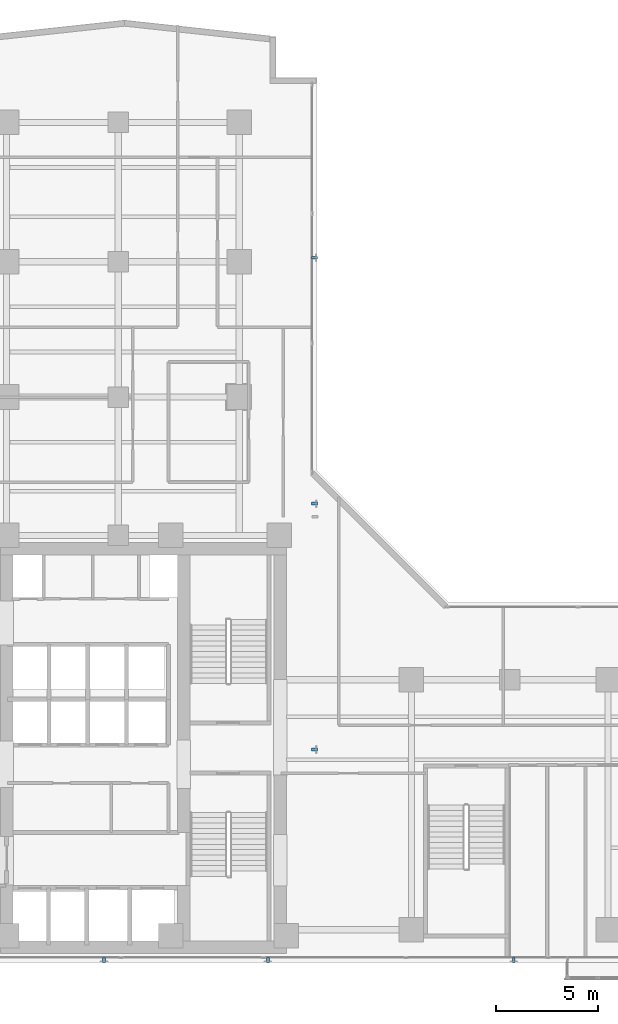
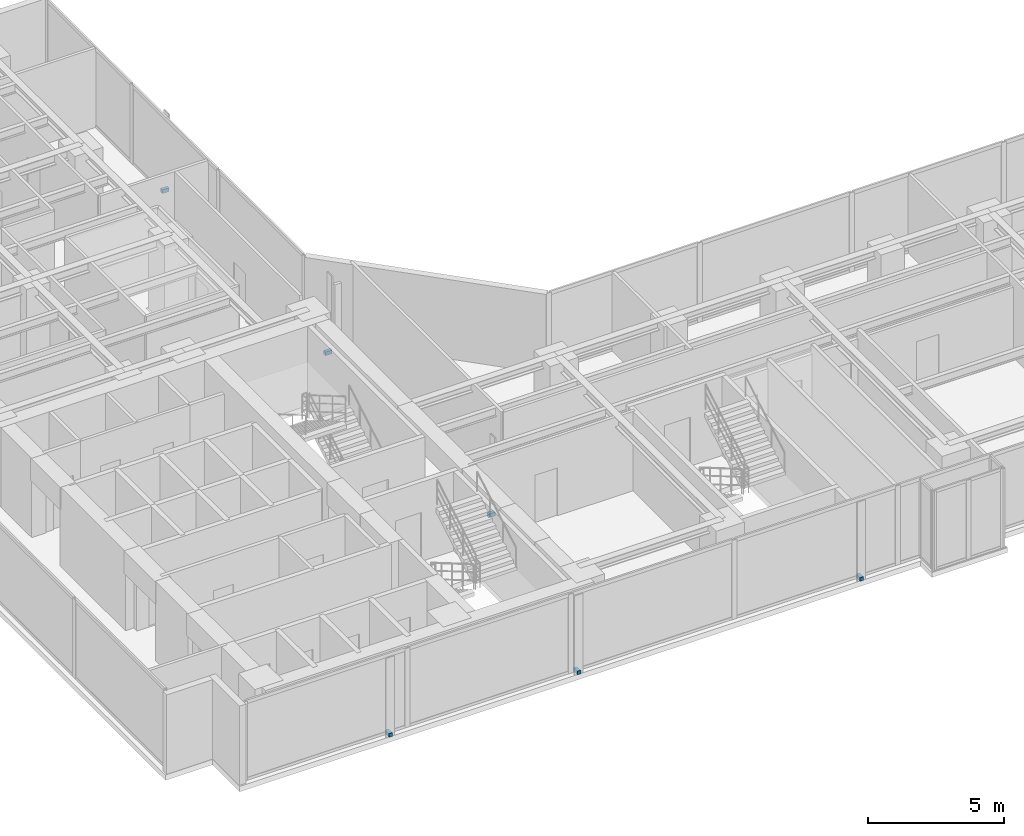
# One storey, part 23 of 27: 6 discrete accessories.
"""IFC4 building model written with IfcOpenShell, lengths in metres."""

from ifc_helpers import new_model, si_unit, direction, frame, origin, origin_with_axes, origin_2d, place, context, subcontext, project, spatial, rectangle, extrude, source, transform, mapped, material, type_object, element, save


model = new_model("IFC4")

# Units and contexts
model_context = context("Model", 3, precision=1e-05, world=origin(), true_north=direction((0.0, 1.0)))
body_context = subcontext(model_context, "Body", "Model", "MODEL_VIEW")
ifc_project = project(units=[si_unit("LENGTHUNIT", "METRE"), si_unit("AREAUNIT", "SQUARE_METRE"), si_unit("VOLUMEUNIT", "CUBIC_METRE"), si_unit("PLANEANGLEUNIT", "RADIAN"), si_unit("MASSUNIT", "GRAM", prefix="KILO")], contexts=[model_context])

# Site, building, storey
site_placement = place(None, origin())
site = spatial("IfcSite", under=ifc_project, at=site_placement, CompositionType="ELEMENT")
building_placement = place(site_placement, origin())
building = spatial("IfcBuilding", under=site, at=building_placement, Name="Kolvaren Waterfront Exchange", CompositionType="ELEMENT")
storey_placement = place(building_placement, frame((0.0, 0.0, 161.39990234375)))
storey = spatial("IfcBuildingStorey", under=building, at=storey_placement, Name="L41", CompositionType="ELEMENT", Elevation=161.39990234375)

# Discrete accessories
ifc_material = material(Name="Stainless steel 316", Category="steel")
discrete_accessory_type = type_object("IfcDiscreteAccessoryType", Name="ARC-BRK-FIN", PredefinedType="BRACKET", material=ifc_material)
shared_shape = source(origin_with_axes(), body_context, "Body", "SweptSolid", [
    extrude(rectangle(XDim=0.280029296875, YDim=0.139892578125, at=origin_2d()), origin(), (0.0, 0.0, 1.0), 0.159912109375),
])
for number, where, z_axis, x_axis, name in (
    (1, (12.199951171875, 3.719970703125, 0.0), (0.0, 0.0, 1.0), (0.0, -1.0, 0.0), "L41 bronze fin anchor bracket FIN-L41-S1"),
    (2, (20.199951171875, 3.719970703125, 0.0), (0.0, 0.0, 1.0), (0.0, -1.0, 0.0), "L41 bronze fin anchor bracket FIN-L41-S2"),
    (3, (32.199951171875, 3.719970703125, 0.0), (0.0, 0.0, 1.0), (0.0, -1.0, 0.0), "L41 bronze fin anchor bracket FIN-L41-S3"),
    (4, (22.47998046875, 14.0, 0.0), (0.0, 0.0, 1.0), (1.0, 0.0, 0.0), "L41 bronze fin anchor bracket FIN-L41-E1"),
    (5, (22.47998046875, 26.0, 0.0), (0.0, 0.0, 1.0), (1.0, 0.0, 0.0), "L41 bronze fin anchor bracket FIN-L41-E2"),
    (6, (22.47998046875, 38.0, 0.0), (0.0, 0.0, 1.0), (1.0, 0.0, 0.0), "L41 bronze fin anchor bracket FIN-L41-E3"),
):
    element("IfcDiscreteAccessory", number, at=place(storey_placement, frame(where, z_axis=z_axis, x_axis=x_axis)), inside=storey, type_object=discrete_accessory_type, Name=name, PredefinedType="BRACKET", context=body_context, shape_type="MappedRepresentation", body=[
        mapped(shared_shape, transform((0.0, 0.0, 0.0), x_axis=(1.0, 0.0, 0.0), y_axis=(0.0, 1.0, 0.0), z_axis=(0.0, 0.0, 1.0), scale=1.0)),
    ])

save(model, "model.ifc")
